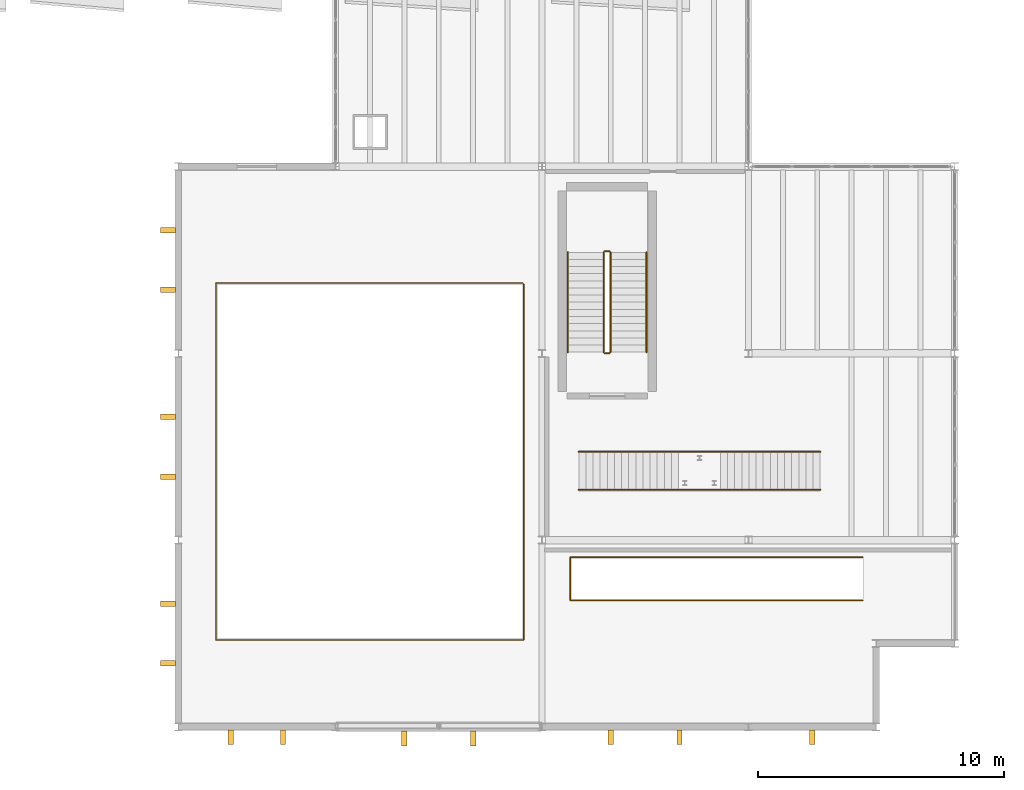
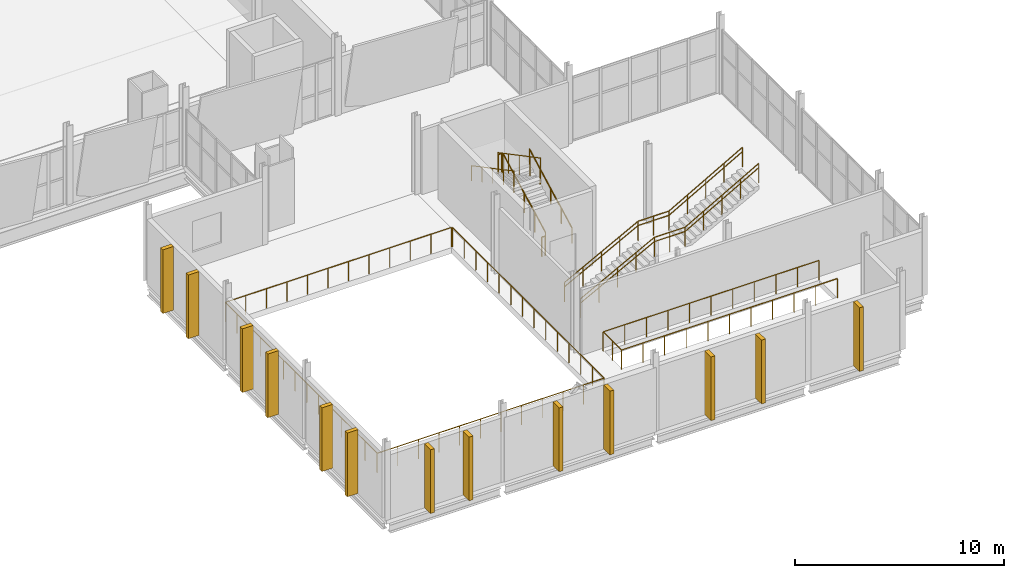
# One storey, part 161 of 172: 13 railings, 13 shading devices.
"""IFC4 building model written with IfcOpenShell, lengths in metres."""

from ifc_helpers import new_model, si_unit, direction, frame, origin, origin_2d, place, context, subcontext, project, spatial, rectangle, circle, extrude, material, layer, layer_set, type_object, element, save


model = new_model("IFC4")

# Units and contexts
model_context = context("Model", 3, precision=1e-05, world=origin(), true_north=direction((0.0, 1.0)))
body_context = subcontext(model_context, "Body", "Model", "MODEL_VIEW")
ifc_project = project(units=[si_unit("LENGTHUNIT", "METRE"), si_unit("AREAUNIT", "SQUARE_METRE"), si_unit("VOLUMEUNIT", "CUBIC_METRE"), si_unit("PLANEANGLEUNIT", "RADIAN"), si_unit("MASSUNIT", "GRAM", prefix="KILO")], contexts=[model_context])

# Site, building, storey
site_placement = place(None, origin())
site = spatial("IfcSite", under=ifc_project, at=site_placement, CompositionType="ELEMENT")
building_placement = place(site_placement, origin())
building = spatial("IfcBuilding", under=site, at=building_placement, Name="Shengluoqiao Park Theatre", CompositionType="ELEMENT")
storey_placement = place(building_placement, frame((0.0, 0.0, 5.39990234375)))
storey = spatial("IfcBuildingStorey", under=building, at=storey_placement, Name="L01", CompositionType="ELEMENT", Elevation=5.39990234375)

# Shading devices
ifc_material_1 = material(Name="Concrete C45", Category="concrete")
ifc_layer = layer(ifc_material_1, 0.219970703125, Name="Concrete C45")
ifc_layer_set = layer_set([ifc_layer], Name="Concrete C45")
shading_device_type = type_object("IfcShadingDeviceType", Name="ENV-FIN-600x220", PredefinedType="USERDEFINED", material=ifc_layer_set)
for number, where, z_axis, x_axis, name in (
    (1, (14.936767578125, -0.419921875, 0.02001953125), (0.0, 0.0, 1.0), (0.0, -1.0, 0.0), "L01 Vertical Concrete Acoustic Rib 0131"),
    (2, (17.063232421875, -0.419921875, 0.02001953125), (0.0, 0.0, 1.0), (0.0, -1.0, 0.0), "L01 Vertical Concrete Acoustic Rib 0132"),
    (3, (22.00341796875, -0.47509765625, 0.02001953125), (0.0, 0.0, 1.0), (0.0, -1.0, 0.0), "L01 Vertical Concrete Acoustic Rib 0133"),
    (4, (24.796630859375, -0.47509765625, 0.02001953125), (0.0, 0.0, 1.0), (0.0, -1.0, 0.0), "L01 Vertical Concrete Acoustic Rib 0134"),
    (5, (30.4033203125, -0.419921875, 0.02001953125), (0.0, 0.0, 1.0), (0.0, -1.0, 0.0), "L01 Vertical Concrete Acoustic Rib 0135"),
    (6, (33.19677734375, -0.419921875, 0.02001953125), (0.0, 0.0, 1.0), (0.0, -1.0, 0.0), "L01 Vertical Concrete Acoustic Rib 0136"),
    (7, (38.60009765625, -0.419921875, 0.02001953125), (0.0, 0.0, 1.0), (0.0, -1.0, 0.0), "L01 Vertical Concrete Acoustic Rib 0137"),
    (8, (12.3798828125, 2.584716796875, 0.02001953125), (0.0, 0.0, 1.0), (-1.0, 0.0, 0.0), "L01 Vertical Concrete Acoustic Rib 0138"),
    (9, (12.3798828125, 5.015380859375, 0.02001953125), (0.0, 0.0, 1.0), (-1.0, 0.0, 0.0), "L01 Vertical Concrete Acoustic Rib 0139"),
    (10, (12.3798828125, 10.184814453125, 0.02001953125), (0.0, 0.0, 1.0), (-1.0, 0.0, 0.0), "L01 Vertical Concrete Acoustic Rib 0140"),
    (11, (12.3798828125, 12.615234375, 0.02001953125), (0.0, 0.0, 1.0), (-1.0, 0.0, 0.0), "L01 Vertical Concrete Acoustic Rib 0141"),
    (12, (12.3798828125, 17.78466796875, 0.02001953125), (0.0, 0.0, 1.0), (-1.0, 0.0, 0.0), "L01 Vertical Concrete Acoustic Rib 0142"),
    (13, (12.3798828125, 20.21533203125, 0.02001953125), (0.0, 0.0, 1.0), (-1.0, 0.0, 0.0), "L01 Vertical Concrete Acoustic Rib 0143"),
):
    element("IfcShadingDevice", number, at=place(storey_placement, frame(where, z_axis=z_axis, x_axis=x_axis)), inside=storey, type_object=shading_device_type, Name=name, ObjectType="FIN", PredefinedType="USERDEFINED", context=body_context, shape_type="SweptSolid", body=[
        extrude(rectangle(XDim=0.60009765625, YDim=0.219970703125, at=origin_2d()), origin(), (0.0, 0.0, 1.0), 3.716064453125),
    ])

# Railings
ifc_material_2 = material(Name="Tempered laminated glass", Category="glass")
railing_type_1 = type_object("IfcRailingType", Name="INT-RL-BAL115", PredefinedType="BALUSTRADE", material=ifc_material_2)
railing_1_placement = place(storey_placement, frame((40.659912109375, 5.14990234375, 0.0)))
element("IfcRailing", 14, at=railing_1_placement, inside=storey, type_object=railing_type_1, Name="Park-Court Gallery Stair 08 Upper Well Guard", PredefinedType="BALUSTRADE", context=body_context, shape_type="SweptSolid", body=[
    extrude(circle(Radius=0.02392578125, at=origin_2d()), frame((0.0, 0.0, 1.1259765625), z_axis=(-1.0, 0.0, 0.0), x_axis=(0.0, -1.0, 0.0)), (0.0, 0.0, 1.0), 11.909912109375),
    extrude(circle(Radius=0.02392578125, at=origin_2d()), frame((-11.909912109375, 0.0, 1.1259765625), z_axis=(0.0, 1.0, 0.0), x_axis=(-1.0, 0.0, 0.0)), (0.0, 0.0, 1.0), 1.75),
    extrude(circle(Radius=0.02392578125, at=origin_2d()), frame((-11.909912109375, 1.75, 1.1259765625), z_axis=(1.0, 0.0, 0.0), x_axis=(0.0, 1.0, 0.0)), (0.0, 0.0, 1.0), 11.909912109375),
    extrude(circle(Radius=0.02099609375, at=origin_2d()), origin(), (0.0, 0.0, 1.0), 1.101806640625),
    extrude(circle(Radius=0.02099609375, at=origin_2d()), frame((-1.19091796875, 0.0, 0.0)), (0.0, 0.0, 1.0), 1.101806640625),
    extrude(circle(Radius=0.02099609375, at=origin_2d()), frame((-2.382080078125, 0.0, 0.0)), (0.0, 0.0, 1.0), 1.101806640625),
    extrude(circle(Radius=0.02099609375, at=origin_2d()), frame((-3.572998046875, 0.0, 0.0)), (0.0, 0.0, 1.0), 1.101806640625),
    extrude(circle(Radius=0.02099609375, at=origin_2d()), frame((-4.763916015625, 0.0, 0.0)), (0.0, 0.0, 1.0), 1.101806640625),
    extrude(circle(Radius=0.02099609375, at=origin_2d()), frame((-5.955078125, 0.0, 0.0)), (0.0, 0.0, 1.0), 1.101806640625),
    extrude(circle(Radius=0.02099609375, at=origin_2d()), frame((-7.14599609375, 0.0, 0.0)), (0.0, 0.0, 1.0), 1.101806640625),
    extrude(circle(Radius=0.02099609375, at=origin_2d()), frame((-8.3369140625, 0.0, 0.0)), (0.0, 0.0, 1.0), 1.101806640625),
    extrude(circle(Radius=0.02099609375, at=origin_2d()), frame((-9.52783203125, 0.0, 0.0)), (0.0, 0.0, 1.0), 1.101806640625),
    extrude(circle(Radius=0.02099609375, at=origin_2d()), frame((-10.718994140625, 0.0, 0.0)), (0.0, 0.0, 1.0), 1.101806640625),
    extrude(circle(Radius=0.02099609375, at=origin_2d()), frame((-11.909912109375, 0.0, 0.0)), (0.0, 0.0, 1.0), 1.101806640625),
    extrude(circle(Radius=0.02099609375, at=origin_2d()), frame((-11.909912109375, 0.875, 0.0)), (0.0, 0.0, 1.0), 1.101806640625),
    extrude(circle(Radius=0.02099609375, at=origin_2d()), frame((-11.909912109375, 1.75, 0.0)), (0.0, 0.0, 1.0), 1.101806640625),
    extrude(circle(Radius=0.02099609375, at=origin_2d()), frame((-10.718994140625, 1.75, 0.0)), (0.0, 0.0, 1.0), 1.101806640625),
    extrude(circle(Radius=0.02099609375, at=origin_2d()), frame((-9.52783203125, 1.75, 0.0)), (0.0, 0.0, 1.0), 1.101806640625),
    extrude(circle(Radius=0.02099609375, at=origin_2d()), frame((-8.3369140625, 1.75, 0.0)), (0.0, 0.0, 1.0), 1.101806640625),
    extrude(circle(Radius=0.02099609375, at=origin_2d()), frame((-7.14599609375, 1.75, 0.0)), (0.0, 0.0, 1.0), 1.101806640625),
    extrude(circle(Radius=0.02099609375, at=origin_2d()), frame((-5.955078125, 1.75, 0.0)), (0.0, 0.0, 1.0), 1.101806640625),
    extrude(circle(Radius=0.02099609375, at=origin_2d()), frame((-4.763916015625, 1.75, 0.0)), (0.0, 0.0, 1.0), 1.101806640625),
    extrude(circle(Radius=0.02099609375, at=origin_2d()), frame((-3.572998046875, 1.75, 0.0)), (0.0, 0.0, 1.0), 1.101806640625),
    extrude(circle(Radius=0.02099609375, at=origin_2d()), frame((-2.382080078125, 1.75, 0.0)), (0.0, 0.0, 1.0), 1.101806640625),
    extrude(circle(Radius=0.02099609375, at=origin_2d()), frame((-1.19091796875, 1.75, 0.0)), (0.0, 0.0, 1.0), 1.101806640625),
    extrude(circle(Radius=0.02099609375, at=origin_2d()), frame((0.0, 1.75, 0.0)), (0.0, 0.0, 1.0), 1.101806640625),
])
railing_2_placement = place(storey_placement, frame((29.10009765625, 9.64990234375, 0.1533203125)))
element("IfcRailing", 15, at=railing_2_placement, inside=storey, type_object=railing_type_1, Name="Park-Court Gallery Stair 08 Upper Glass Balustrade S", PredefinedType="BALUSTRADE", context=body_context, shape_type="SweptSolid", body=[
    extrude(circle(Radius=0.02392578125, at=origin_2d()), frame((0.0, 0.0, 1.1259765625), z_axis=(0.88402056762, 0.0, 0.467448003553), x_axis=(0.0, 1.0, 0.0)), (0.0, 0.0, 1.0), 4.592529296875),
    extrude(circle(Radius=0.02392578125, at=origin_2d()), frame((4.059814453125, 0.0, 3.2724609375), z_axis=(1.0, 0.0, 0.0), x_axis=(0.0, 1.0, 0.0)), (0.0, 0.0, 1.0), 1.7001953125),
    extrude(circle(Radius=0.02392578125, at=origin_2d()), frame((5.760009765625, 0.0, 3.2724609375), z_axis=(0.870069311645, 0.0, 0.492929399543), x_axis=(0.0, 1.0, 0.0)), (0.0, 0.0, 1.0), 4.666015625),
    extrude(circle(Radius=0.02099609375, at=origin_2d()), origin(), (0.0, 0.0, 1.0), 1.101806640625),
    extrude(circle(Radius=0.02099609375, at=origin_2d()), frame((1.014892578125, 0.0, 0.53662109375)), (0.0, 0.0, 1.0), 1.101806640625),
    extrude(circle(Radius=0.02099609375, at=origin_2d()), frame((2.02978515625, 0.0, 1.0732421875)), (0.0, 0.0, 1.0), 1.101806640625),
    extrude(circle(Radius=0.02099609375, at=origin_2d()), frame((3.044921875, 0.0, 1.610107421875)), (0.0, 0.0, 1.0), 1.101806640625),
    extrude(circle(Radius=0.02099609375, at=origin_2d()), frame((4.059814453125, 0.0, 2.146728515625)), (0.0, 0.0, 1.0), 1.101806640625),
    extrude(circle(Radius=0.02099609375, at=origin_2d()), frame((4.909912109375, 0.0, 2.146728515625)), (0.0, 0.0, 1.0), 1.101806640625),
    extrude(circle(Radius=0.02099609375, at=origin_2d()), frame((5.760009765625, 0.0, 2.146728515625)), (0.0, 0.0, 1.0), 1.101806640625),
    extrude(circle(Radius=0.02099609375, at=origin_2d()), frame((6.77490234375, 0.0, 2.7216796875)), (0.0, 0.0, 1.0), 1.101806640625),
    extrude(circle(Radius=0.02099609375, at=origin_2d()), frame((7.7900390625, 0.0, 3.296875)), (0.0, 0.0, 1.0), 1.101806640625),
    extrude(circle(Radius=0.02099609375, at=origin_2d()), frame((8.804931640625, 0.0, 3.871826171875)), (0.0, 0.0, 1.0), 1.101806640625),
    extrude(circle(Radius=0.02099609375, at=origin_2d()), frame((9.81982421875, 0.0, 4.44677734375)), (0.0, 0.0, 1.0), 1.101806640625),
])
railing_3_placement = place(storey_placement, frame((29.10009765625, 11.199951171875, 0.1533203125)))
element("IfcRailing", 16, at=railing_3_placement, inside=storey, type_object=railing_type_1, Name="Park-Court Gallery Stair 08 Upper Glass Balustrade N", PredefinedType="BALUSTRADE", context=body_context, shape_type="SweptSolid", body=[
    extrude(circle(Radius=0.02392578125, at=origin_2d()), frame((0.0, 0.0, 1.1259765625), z_axis=(0.88402056762, 0.0, 0.467448003553), x_axis=(0.0, 1.0, 0.0)), (0.0, 0.0, 1.0), 4.592529296875),
    extrude(circle(Radius=0.02392578125, at=origin_2d()), frame((4.059814453125, 0.0, 3.2724609375), z_axis=(1.0, 0.0, 0.0), x_axis=(0.0, 1.0, 0.0)), (0.0, 0.0, 1.0), 1.7001953125),
    extrude(circle(Radius=0.02392578125, at=origin_2d()), frame((5.760009765625, 0.0, 3.2724609375), z_axis=(0.870069311645, 0.0, 0.492929399543), x_axis=(0.0, 1.0, 0.0)), (0.0, 0.0, 1.0), 4.666015625),
    extrude(circle(Radius=0.02099609375, at=origin_2d()), origin(), (0.0, 0.0, 1.0), 1.101806640625),
    extrude(circle(Radius=0.02099609375, at=origin_2d()), frame((1.014892578125, 0.0, 0.53662109375)), (0.0, 0.0, 1.0), 1.101806640625),
    extrude(circle(Radius=0.02099609375, at=origin_2d()), frame((2.02978515625, 0.0, 1.0732421875)), (0.0, 0.0, 1.0), 1.101806640625),
    extrude(circle(Radius=0.02099609375, at=origin_2d()), frame((3.044921875, 0.0, 1.610107421875)), (0.0, 0.0, 1.0), 1.101806640625),
    extrude(circle(Radius=0.02099609375, at=origin_2d()), frame((4.059814453125, 0.0, 2.146728515625)), (0.0, 0.0, 1.0), 1.101806640625),
    extrude(circle(Radius=0.02099609375, at=origin_2d()), frame((4.909912109375, 0.0, 2.146728515625)), (0.0, 0.0, 1.0), 1.101806640625),
    extrude(circle(Radius=0.02099609375, at=origin_2d()), frame((5.760009765625, 0.0, 2.146728515625)), (0.0, 0.0, 1.0), 1.101806640625),
    extrude(circle(Radius=0.02099609375, at=origin_2d()), frame((6.77490234375, 0.0, 2.7216796875)), (0.0, 0.0, 1.0), 1.101806640625),
    extrude(circle(Radius=0.02099609375, at=origin_2d()), frame((7.7900390625, 0.0, 3.296875)), (0.0, 0.0, 1.0), 1.101806640625),
    extrude(circle(Radius=0.02099609375, at=origin_2d()), frame((8.804931640625, 0.0, 3.871826171875)), (0.0, 0.0, 1.0), 1.101806640625),
    extrude(circle(Radius=0.02099609375, at=origin_2d()), frame((9.81982421875, 0.0, 4.44677734375)), (0.0, 0.0, 1.0), 1.101806640625),
])
ifc_material_3 = material(Name="Steel Q355", Category="steel")
railing_type_2 = type_object("IfcRailingType", Name="INT-RL-FLY115", PredefinedType="GUARDRAIL", material=ifc_material_3)
railing_4_placement = place(storey_placement, frame((14.340087890625, 3.5400390625, 0.0)))
element("IfcRailing", 17, at=railing_4_placement, inside=storey, type_object=railing_type_2, Name="L01 VOID-L01-BBOX South-East Balustrade 0002", PredefinedType="GUARDRAIL", context=body_context, shape_type="SweptSolid", body=[
    extrude(circle(Radius=0.02392578125, at=origin_2d()), frame((0.0, 0.0, 1.1259765625), z_axis=(1.0, 0.0, 0.0), x_axis=(0.0, 1.0, 0.0)), (0.0, 0.0, 1.0), 12.52001953125),
    extrude(circle(Radius=0.02392578125, at=origin_2d()), frame((12.52001953125, 0.0, 1.1259765625), z_axis=(0.0, 1.0, 0.0), x_axis=(-1.0, 0.0, 0.0)), (0.0, 0.0, 1.0), 14.47998046875),
    extrude(circle(Radius=0.02099609375, at=origin_2d()), origin(), (0.0, 0.0, 1.0), 1.101806640625),
    extrude(circle(Radius=0.02099609375, at=origin_2d()), frame((1.13818359375, 0.0, 0.0)), (0.0, 0.0, 1.0), 1.101806640625),
    extrude(circle(Radius=0.02099609375, at=origin_2d()), frame((2.2763671875, 0.0, 0.0)), (0.0, 0.0, 1.0), 1.101806640625),
    extrude(circle(Radius=0.02099609375, at=origin_2d()), frame((3.41455078125, 0.0, 0.0)), (0.0, 0.0, 1.0), 1.101806640625),
    extrude(circle(Radius=0.02099609375, at=origin_2d()), frame((4.552734375, 0.0, 0.0)), (0.0, 0.0, 1.0), 1.101806640625),
    extrude(circle(Radius=0.02099609375, at=origin_2d()), frame((5.69091796875, 0.0, 0.0)), (0.0, 0.0, 1.0), 1.101806640625),
    extrude(circle(Radius=0.02099609375, at=origin_2d()), frame((6.8291015625, 0.0, 0.0)), (0.0, 0.0, 1.0), 1.101806640625),
    extrude(circle(Radius=0.02099609375, at=origin_2d()), frame((7.96728515625, 0.0, 0.0)), (0.0, 0.0, 1.0), 1.101806640625),
    extrude(circle(Radius=0.02099609375, at=origin_2d()), frame((9.10546875, 0.0, 0.0)), (0.0, 0.0, 1.0), 1.101806640625),
    extrude(circle(Radius=0.02099609375, at=origin_2d()), frame((10.24365234375, 0.0, 0.0)), (0.0, 0.0, 1.0), 1.101806640625),
    extrude(circle(Radius=0.02099609375, at=origin_2d()), frame((11.3818359375, 0.0, 0.0)), (0.0, 0.0, 1.0), 1.101806640625),
    extrude(circle(Radius=0.02099609375, at=origin_2d()), frame((12.52001953125, 0.0, 0.0)), (0.0, 0.0, 1.0), 1.101806640625),
    extrude(circle(Radius=0.02099609375, at=origin_2d()), frame((12.52001953125, 1.11376953125, 0.0)), (0.0, 0.0, 1.0), 1.101806640625),
    extrude(circle(Radius=0.02099609375, at=origin_2d()), frame((12.52001953125, 2.227783203125, 0.0)), (0.0, 0.0, 1.0), 1.101806640625),
    extrude(circle(Radius=0.02099609375, at=origin_2d()), frame((12.52001953125, 3.341552734375, 0.0)), (0.0, 0.0, 1.0), 1.101806640625),
    extrude(circle(Radius=0.02099609375, at=origin_2d()), frame((12.52001953125, 4.455322265625, 0.0)), (0.0, 0.0, 1.0), 1.101806640625),
    extrude(circle(Radius=0.02099609375, at=origin_2d()), frame((12.52001953125, 5.5693359375, 0.0)), (0.0, 0.0, 1.0), 1.101806640625),
    extrude(circle(Radius=0.02099609375, at=origin_2d()), frame((12.52001953125, 6.68310546875, 0.0)), (0.0, 0.0, 1.0), 1.101806640625),
    extrude(circle(Radius=0.02099609375, at=origin_2d()), frame((12.52001953125, 7.796875, 0.0)), (0.0, 0.0, 1.0), 1.101806640625),
    extrude(circle(Radius=0.02099609375, at=origin_2d()), frame((12.52001953125, 8.91064453125, 0.0)), (0.0, 0.0, 1.0), 1.101806640625),
    extrude(circle(Radius=0.02099609375, at=origin_2d()), frame((12.52001953125, 10.024658203125, 0.0)), (0.0, 0.0, 1.0), 1.101806640625),
    extrude(circle(Radius=0.02099609375, at=origin_2d()), frame((12.52001953125, 11.138427734375, 0.0)), (0.0, 0.0, 1.0), 1.101806640625),
    extrude(circle(Radius=0.02099609375, at=origin_2d()), frame((12.52001953125, 12.252197265625, 0.0)), (0.0, 0.0, 1.0), 1.101806640625),
    extrude(circle(Radius=0.02099609375, at=origin_2d()), frame((12.52001953125, 13.3662109375, 0.0)), (0.0, 0.0, 1.0), 1.101806640625),
    extrude(circle(Radius=0.02099609375, at=origin_2d()), frame((12.52001953125, 14.47998046875, 0.0)), (0.0, 0.0, 1.0), 1.101806640625),
])
railing_5_placement = place(storey_placement, frame((26.820068359375, 18.06005859375, 0.0)))
element("IfcRailing", 18, at=railing_5_placement, inside=storey, type_object=railing_type_2, Name="L01 VOID-L01-BBOX North-West Balustrade 0003", PredefinedType="GUARDRAIL", context=body_context, shape_type="SweptSolid", body=[
    extrude(circle(Radius=0.02392578125, at=origin_2d()), frame((0.0, 0.0, 1.1259765625), z_axis=(-1.0, 0.0, 0.0), x_axis=(0.0, -1.0, 0.0)), (0.0, 0.0, 1.0), 12.47998046875),
    extrude(circle(Radius=0.02392578125, at=origin_2d()), frame((-12.47998046875, 0.0, 1.1259765625), z_axis=(0.0, -1.0, 0.0), x_axis=(1.0, 0.0, 0.0)), (0.0, 0.0, 1.0), 14.47998046875),
    extrude(circle(Radius=0.02099609375, at=origin_2d()), origin(), (0.0, 0.0, 1.0), 1.101806640625),
    extrude(circle(Radius=0.02099609375, at=origin_2d()), frame((-1.134521484375, 0.0, 0.0)), (0.0, 0.0, 1.0), 1.101806640625),
    extrude(circle(Radius=0.02099609375, at=origin_2d()), frame((-2.26904296875, 0.0, 0.0)), (0.0, 0.0, 1.0), 1.101806640625),
    extrude(circle(Radius=0.02099609375, at=origin_2d()), frame((-3.403564453125, 0.0, 0.0)), (0.0, 0.0, 1.0), 1.101806640625),
    extrude(circle(Radius=0.02099609375, at=origin_2d()), frame((-4.5380859375, 0.0, 0.0)), (0.0, 0.0, 1.0), 1.101806640625),
    extrude(circle(Radius=0.02099609375, at=origin_2d()), frame((-5.672607421875, 0.0, 0.0)), (0.0, 0.0, 1.0), 1.101806640625),
    extrude(circle(Radius=0.02099609375, at=origin_2d()), frame((-6.807373046875, 0.0, 0.0)), (0.0, 0.0, 1.0), 1.101806640625),
    extrude(circle(Radius=0.02099609375, at=origin_2d()), frame((-7.94189453125, 0.0, 0.0)), (0.0, 0.0, 1.0), 1.101806640625),
    extrude(circle(Radius=0.02099609375, at=origin_2d()), frame((-9.076416015625, 0.0, 0.0)), (0.0, 0.0, 1.0), 1.101806640625),
    extrude(circle(Radius=0.02099609375, at=origin_2d()), frame((-10.2109375, 0.0, 0.0)), (0.0, 0.0, 1.0), 1.101806640625),
    extrude(circle(Radius=0.02099609375, at=origin_2d()), frame((-11.345458984375, 0.0, 0.0)), (0.0, 0.0, 1.0), 1.101806640625),
    extrude(circle(Radius=0.02099609375, at=origin_2d()), frame((-12.47998046875, 0.0, 0.0)), (0.0, 0.0, 1.0), 1.101806640625),
    extrude(circle(Radius=0.02099609375, at=origin_2d()), frame((-12.47998046875, -1.11376953125, 0.0)), (0.0, 0.0, 1.0), 1.101806640625),
    extrude(circle(Radius=0.02099609375, at=origin_2d()), frame((-12.47998046875, -2.227783203125, 0.0)), (0.0, 0.0, 1.0), 1.101806640625),
    extrude(circle(Radius=0.02099609375, at=origin_2d()), frame((-12.47998046875, -3.341552734375, 0.0)), (0.0, 0.0, 1.0), 1.101806640625),
    extrude(circle(Radius=0.02099609375, at=origin_2d()), frame((-12.47998046875, -4.455322265625, 0.0)), (0.0, 0.0, 1.0), 1.101806640625),
    extrude(circle(Radius=0.02099609375, at=origin_2d()), frame((-12.47998046875, -5.5693359375, 0.0)), (0.0, 0.0, 1.0), 1.101806640625),
    extrude(circle(Radius=0.02099609375, at=origin_2d()), frame((-12.47998046875, -6.68310546875, 0.0)), (0.0, 0.0, 1.0), 1.101806640625),
    extrude(circle(Radius=0.02099609375, at=origin_2d()), frame((-12.47998046875, -7.796875, 0.0)), (0.0, 0.0, 1.0), 1.101806640625),
    extrude(circle(Radius=0.02099609375, at=origin_2d()), frame((-12.47998046875, -8.91064453125, 0.0)), (0.0, 0.0, 1.0), 1.101806640625),
    extrude(circle(Radius=0.02099609375, at=origin_2d()), frame((-12.47998046875, -10.024658203125, 0.0)), (0.0, 0.0, 1.0), 1.101806640625),
    extrude(circle(Radius=0.02099609375, at=origin_2d()), frame((-12.47998046875, -11.138427734375, 0.0)), (0.0, 0.0, 1.0), 1.101806640625),
    extrude(circle(Radius=0.02099609375, at=origin_2d()), frame((-12.47998046875, -12.252197265625, 0.0)), (0.0, 0.0, 1.0), 1.101806640625),
    extrude(circle(Radius=0.02099609375, at=origin_2d()), frame((-12.47998046875, -13.3662109375, 0.0)), (0.0, 0.0, 1.0), 1.101806640625),
    extrude(circle(Radius=0.02099609375, at=origin_2d()), frame((-12.47998046875, -14.47998046875, 0.0)), (0.0, 0.0, 1.0), 1.101806640625),
])
ifc_material_4 = material(Name="Painted steel", Category="steel")
railing_type_3 = type_object("IfcRailingType", Name="INT-RL-STGRD", PredefinedType="GUARDRAIL", material=ifc_material_4)
railing_6_placement = place(storey_placement, frame((30.389892578125, 15.25, 0.1533203125)))
element("IfcRailing", 19, at=railing_6_placement, inside=storey, type_object=railing_type_3, Name="L01 ST-04 stair guard 1", PredefinedType="GUARDRAIL", context=body_context, shape_type="SweptSolid", body=[
    extrude(circle(Radius=0.02392578125, at=origin_2d()), frame((0.0, 0.0, 1.1259765625), z_axis=(0.0, 0.884032182968, 0.46742603637), x_axis=(-1.0, 0.0, 0.0)), (0.0, 0.0, 1.0), 4.5927734375),
    extrude(circle(Radius=0.02099609375, at=origin_2d()), origin(), (0.0, 0.0, 1.0), 1.101806640625),
    extrude(circle(Radius=0.02099609375, at=origin_2d()), frame((0.0, 1.01513671875, 0.53662109375)), (0.0, 0.0, 1.0), 1.101806640625),
    extrude(circle(Radius=0.02099609375, at=origin_2d()), frame((0.0, 2.030029296875, 1.0732421875)), (0.0, 0.0, 1.0), 1.101806640625),
    extrude(circle(Radius=0.02099609375, at=origin_2d()), frame((0.0, 3.044921875, 1.610107421875)), (0.0, 0.0, 1.0), 1.101806640625),
    extrude(circle(Radius=0.02099609375, at=origin_2d()), frame((0.0, 4.06005859375, 2.146728515625)), (0.0, 0.0, 1.0), 1.101806640625),
])
railing_7_placement = place(storey_placement, frame((30.340087890625, 19.360107421875, 2.300048828125)))
element("IfcRailing", 20, at=railing_7_placement, inside=storey, type_object=railing_type_3, Name="L01 ST-04 stair guard 2", PredefinedType="GUARDRAIL", context=body_context, shape_type="SweptSolid", body=[
    extrude(circle(Radius=0.02392578125, at=origin_2d()), frame((0.0, 0.0, 1.1259765625), z_axis=(-1.0, 0.0, 0.0), x_axis=(0.0, -1.0, 0.0)), (0.0, 0.0, 1.0), 0.18017578125),
    extrude(circle(Radius=0.02099609375, at=origin_2d()), origin(), (0.0, 0.0, 1.0), 1.101806640625),
    extrude(circle(Radius=0.02099609375, at=origin_2d()), frame((-0.18017578125, 0.0, 0.0)), (0.0, 0.0, 1.0), 1.101806640625),
])
railing_8_placement = place(storey_placement, frame((30.110107421875, 19.31005859375, 2.453369140625)))
element("IfcRailing", 21, at=railing_8_placement, inside=storey, type_object=railing_type_3, Name="L01 ST-04 stair guard 3", PredefinedType="GUARDRAIL", context=body_context, shape_type="SweptSolid", body=[
    extrude(circle(Radius=0.02392578125, at=origin_2d()), frame((0.0, 0.0, 1.1259765625), z_axis=(0.0, -0.884032182968, 0.46742603637), x_axis=(1.0, 0.0, 0.0)), (0.0, 0.0, 1.0), 4.5927734375),
    extrude(circle(Radius=0.02099609375, at=origin_2d()), origin(), (0.0, 0.0, 1.0), 1.101806640625),
    extrude(circle(Radius=0.02099609375, at=origin_2d()), frame((0.0, -1.01513671875, 0.53662109375)), (0.0, 0.0, 1.0), 1.101806640625),
    extrude(circle(Radius=0.02099609375, at=origin_2d()), frame((0.0, -2.030029296875, 1.0732421875)), (0.0, 0.0, 1.0), 1.101806640625),
    extrude(circle(Radius=0.02099609375, at=origin_2d()), frame((0.0, -3.044921875, 1.610107421875)), (0.0, 0.0, 1.0), 1.101806640625),
    extrude(circle(Radius=0.02099609375, at=origin_2d()), frame((0.0, -4.06005859375, 2.146728515625)), (0.0, 0.0, 1.0), 1.101806640625),
])
railing_9_placement = place(storey_placement, frame((30.340087890625, 15.199951171875, 0.0)))
element("IfcRailing", 22, at=railing_9_placement, inside=storey, type_object=railing_type_3, Name="L01 ST-04 stair guard 4", PredefinedType="GUARDRAIL", context=body_context, shape_type="SweptSolid", body=[
    extrude(circle(Radius=0.02392578125, at=origin_2d()), frame((0.0, 0.0, 1.1259765625), z_axis=(-1.0, 0.0, 0.0), x_axis=(0.0, -1.0, 0.0)), (0.0, 0.0, 1.0), 0.18017578125),
    extrude(circle(Radius=0.02099609375, at=origin_2d()), origin(), (0.0, 0.0, 1.0), 1.101806640625),
    extrude(circle(Radius=0.02099609375, at=origin_2d()), frame((-0.18017578125, 0.0, 0.0)), (0.0, 0.0, 1.0), 1.101806640625),
])
ifc_material_5 = material(Name="Stainless steel 304", Category="steel")
railing_type_4 = type_object("IfcRailingType", Name="INT-RL-STHR", PredefinedType="HANDRAIL", material=ifc_material_5)
railing_10_placement = place(storey_placement, frame((31.85009765625, 15.25, 0.1533203125)))
element("IfcRailing", 23, at=railing_10_placement, inside=storey, type_object=railing_type_4, Name="L01 ST-04 stair handrail 1", PredefinedType="HANDRAIL", context=body_context, shape_type="SweptSolid", body=[
    extrude(circle(Radius=0.02392578125, at=origin_2d()), frame((0.0, 0.0, 0.8759765625), z_axis=(0.0, 0.884032182968, 0.46742603637), x_axis=(-1.0, 0.0, 0.0)), (0.0, 0.0, 1.0), 4.5927734375),
    extrude(circle(Radius=0.02099609375, at=origin_2d()), origin(), (0.0, 0.0, 1.0), 0.851806640625),
    extrude(circle(Radius=0.02099609375, at=origin_2d()), frame((0.0, 1.01513671875, 0.53662109375)), (0.0, 0.0, 1.0), 0.851806640625),
    extrude(circle(Radius=0.02099609375, at=origin_2d()), frame((0.0, 2.030029296875, 1.0732421875)), (0.0, 0.0, 1.0), 0.851806640625),
    extrude(circle(Radius=0.02099609375, at=origin_2d()), frame((0.0, 3.044921875, 1.610107421875)), (0.0, 0.0, 1.0), 0.851806640625),
    extrude(circle(Radius=0.02099609375, at=origin_2d()), frame((0.0, 4.06005859375, 2.146728515625)), (0.0, 0.0, 1.0), 0.851806640625),
])
railing_11_placement = place(storey_placement, frame((28.64990234375, 19.31005859375, 2.453369140625)))
element("IfcRailing", 24, at=railing_11_placement, inside=storey, type_object=railing_type_4, Name="L01 ST-04 stair handrail 2", PredefinedType="HANDRAIL", context=body_context, shape_type="SweptSolid", body=[
    extrude(circle(Radius=0.02392578125, at=origin_2d()), frame((0.0, 0.0, 0.8759765625), z_axis=(0.0, -0.884032182968, 0.46742603637), x_axis=(1.0, 0.0, 0.0)), (0.0, 0.0, 1.0), 4.5927734375),
    extrude(circle(Radius=0.02099609375, at=origin_2d()), origin(), (0.0, 0.0, 1.0), 0.851806640625),
    extrude(circle(Radius=0.02099609375, at=origin_2d()), frame((0.0, -1.01513671875, 0.53662109375)), (0.0, 0.0, 1.0), 0.851806640625),
    extrude(circle(Radius=0.02099609375, at=origin_2d()), frame((0.0, -2.030029296875, 1.0732421875)), (0.0, 0.0, 1.0), 0.851806640625),
    extrude(circle(Radius=0.02099609375, at=origin_2d()), frame((0.0, -3.044921875, 1.610107421875)), (0.0, 0.0, 1.0), 0.851806640625),
    extrude(circle(Radius=0.02099609375, at=origin_2d()), frame((0.0, -4.06005859375, 2.146728515625)), (0.0, 0.0, 1.0), 0.851806640625),
])
railing_12_placement = place(storey_placement, frame((29.10009765625, 9.64990234375, 0.1533203125)))
element("IfcRailing", 25, at=railing_12_placement, inside=storey, type_object=railing_type_4, Name="Park-Court Gallery Stair 08 Upper Handrail S", PredefinedType="HANDRAIL", context=body_context, shape_type="SweptSolid", body=[
    extrude(circle(Radius=0.02392578125, at=origin_2d()), frame((0.0, 0.0, 0.8759765625), z_axis=(0.88402056762, 0.0, 0.467448003553), x_axis=(0.0, 1.0, 0.0)), (0.0, 0.0, 1.0), 4.592529296875),
    extrude(circle(Radius=0.02392578125, at=origin_2d()), frame((4.059814453125, 0.0, 3.0224609375), z_axis=(1.0, 0.0, 0.0), x_axis=(0.0, 1.0, 0.0)), (0.0, 0.0, 1.0), 1.7001953125),
    extrude(circle(Radius=0.02392578125, at=origin_2d()), frame((5.760009765625, 0.0, 3.0224609375), z_axis=(0.870069311645, 0.0, 0.492929399543), x_axis=(0.0, 1.0, 0.0)), (0.0, 0.0, 1.0), 4.666015625),
    extrude(circle(Radius=0.02099609375, at=origin_2d()), origin(), (0.0, 0.0, 1.0), 0.851806640625),
    extrude(circle(Radius=0.02099609375, at=origin_2d()), frame((1.014892578125, 0.0, 0.53662109375)), (0.0, 0.0, 1.0), 0.851806640625),
    extrude(circle(Radius=0.02099609375, at=origin_2d()), frame((2.02978515625, 0.0, 1.0732421875)), (0.0, 0.0, 1.0), 0.851806640625),
    extrude(circle(Radius=0.02099609375, at=origin_2d()), frame((3.044921875, 0.0, 1.610107421875)), (0.0, 0.0, 1.0), 0.851806640625),
    extrude(circle(Radius=0.02099609375, at=origin_2d()), frame((4.059814453125, 0.0, 2.146728515625)), (0.0, 0.0, 1.0), 0.851806640625),
    extrude(circle(Radius=0.02099609375, at=origin_2d()), frame((4.909912109375, 0.0, 2.146728515625)), (0.0, 0.0, 1.0), 0.851806640625),
    extrude(circle(Radius=0.02099609375, at=origin_2d()), frame((5.760009765625, 0.0, 2.146728515625)), (0.0, 0.0, 1.0), 0.851806640625),
    extrude(circle(Radius=0.02099609375, at=origin_2d()), frame((6.77490234375, 0.0, 2.7216796875)), (0.0, 0.0, 1.0), 0.851806640625),
    extrude(circle(Radius=0.02099609375, at=origin_2d()), frame((7.7900390625, 0.0, 3.296875)), (0.0, 0.0, 1.0), 0.851806640625),
    extrude(circle(Radius=0.02099609375, at=origin_2d()), frame((8.804931640625, 0.0, 3.871826171875)), (0.0, 0.0, 1.0), 0.851806640625),
    extrude(circle(Radius=0.02099609375, at=origin_2d()), frame((9.81982421875, 0.0, 4.44677734375)), (0.0, 0.0, 1.0), 0.851806640625),
])
railing_13_placement = place(storey_placement, frame((29.10009765625, 11.199951171875, 0.1533203125)))
element("IfcRailing", 26, at=railing_13_placement, inside=storey, type_object=railing_type_4, Name="Park-Court Gallery Stair 08 Upper Handrail N", PredefinedType="HANDRAIL", context=body_context, shape_type="SweptSolid", body=[
    extrude(circle(Radius=0.02392578125, at=origin_2d()), frame((0.0, 0.0, 0.8759765625), z_axis=(0.88402056762, 0.0, 0.467448003553), x_axis=(0.0, 1.0, 0.0)), (0.0, 0.0, 1.0), 4.592529296875),
    extrude(circle(Radius=0.02392578125, at=origin_2d()), frame((4.059814453125, 0.0, 3.0224609375), z_axis=(1.0, 0.0, 0.0), x_axis=(0.0, 1.0, 0.0)), (0.0, 0.0, 1.0), 1.7001953125),
    extrude(circle(Radius=0.02392578125, at=origin_2d()), frame((5.760009765625, 0.0, 3.0224609375), z_axis=(0.870069311645, 0.0, 0.492929399543), x_axis=(0.0, 1.0, 0.0)), (0.0, 0.0, 1.0), 4.666015625),
    extrude(circle(Radius=0.02099609375, at=origin_2d()), origin(), (0.0, 0.0, 1.0), 0.851806640625),
    extrude(circle(Radius=0.02099609375, at=origin_2d()), frame((1.014892578125, 0.0, 0.53662109375)), (0.0, 0.0, 1.0), 0.851806640625),
    extrude(circle(Radius=0.02099609375, at=origin_2d()), frame((2.02978515625, 0.0, 1.0732421875)), (0.0, 0.0, 1.0), 0.851806640625),
    extrude(circle(Radius=0.02099609375, at=origin_2d()), frame((3.044921875, 0.0, 1.610107421875)), (0.0, 0.0, 1.0), 0.851806640625),
    extrude(circle(Radius=0.02099609375, at=origin_2d()), frame((4.059814453125, 0.0, 2.146728515625)), (0.0, 0.0, 1.0), 0.851806640625),
    extrude(circle(Radius=0.02099609375, at=origin_2d()), frame((4.909912109375, 0.0, 2.146728515625)), (0.0, 0.0, 1.0), 0.851806640625),
    extrude(circle(Radius=0.02099609375, at=origin_2d()), frame((5.760009765625, 0.0, 2.146728515625)), (0.0, 0.0, 1.0), 0.851806640625),
    extrude(circle(Radius=0.02099609375, at=origin_2d()), frame((6.77490234375, 0.0, 2.7216796875)), (0.0, 0.0, 1.0), 0.851806640625),
    extrude(circle(Radius=0.02099609375, at=origin_2d()), frame((7.7900390625, 0.0, 3.296875)), (0.0, 0.0, 1.0), 0.851806640625),
    extrude(circle(Radius=0.02099609375, at=origin_2d()), frame((8.804931640625, 0.0, 3.871826171875)), (0.0, 0.0, 1.0), 0.851806640625),
    extrude(circle(Radius=0.02099609375, at=origin_2d()), frame((9.81982421875, 0.0, 4.44677734375)), (0.0, 0.0, 1.0), 0.851806640625),
])

save(model, "model.ifc")
